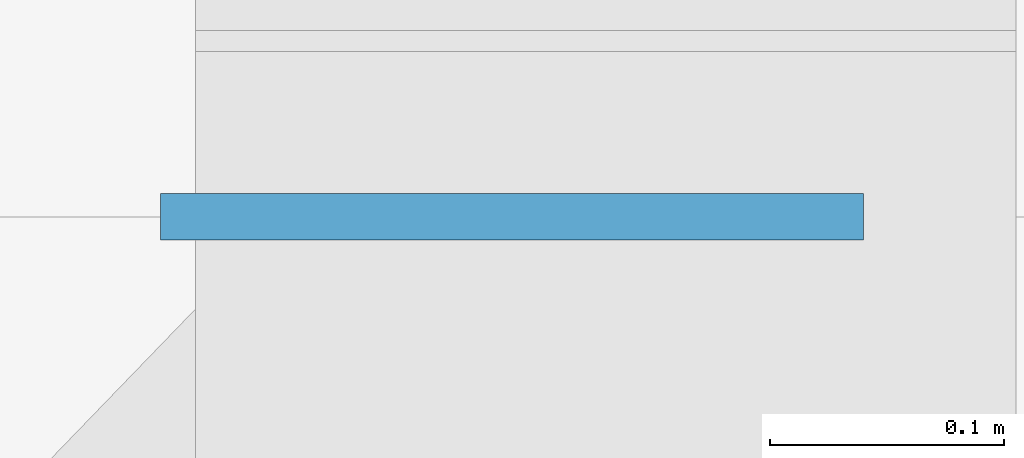
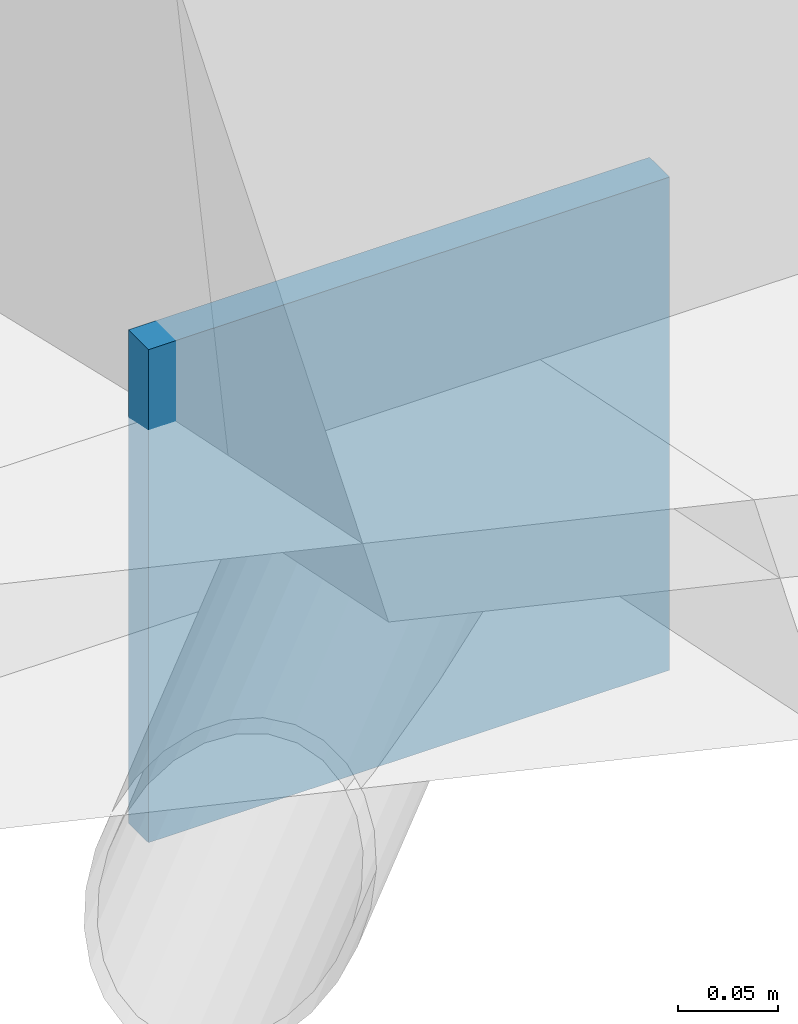
# One storey, part 49 of 56: 1 plate.
"""IFC4 building model written with IfcOpenShell, lengths in metres."""

from ifc_helpers import new_model, si_unit, direction, frame, origin, origin_2d, place, context, subcontext, project, spatial, rectangle, extrude, material, layer, layer_set, type_object, element, save


model = new_model("IFC4")

# Units and contexts
model_context = context("Model", 3, precision=1e-05, world=origin(), true_north=direction((0.0, 1.0)))
body_context = subcontext(model_context, "Body", "Model", "MODEL_VIEW")
ifc_project = project(units=[si_unit("LENGTHUNIT", "METRE"), si_unit("AREAUNIT", "SQUARE_METRE"), si_unit("VOLUMEUNIT", "CUBIC_METRE"), si_unit("PLANEANGLEUNIT", "RADIAN"), si_unit("MASSUNIT", "GRAM", prefix="KILO")], contexts=[model_context])

# Site, building, storey
site_placement = place(None, origin())
site = spatial("IfcSite", under=ifc_project, at=site_placement, CompositionType="ELEMENT")
building_placement = place(site_placement, origin())
building = spatial("IfcBuilding", under=site, at=building_placement, Name="Zacnel Wholesale Market", CompositionType="ELEMENT")
storey_placement = place(building_placement, frame((0.0, 0.0, 20.300048828125)))
storey = spatial("IfcBuildingStorey", under=building, at=storey_placement, Name="RF", CompositionType="ELEMENT", Elevation=20.300048828125)

# Plate
ifc_material = material(Name="Steel S355", Category="steel")
ifc_layer = layer(ifc_material, 0.02001953125)
ifc_layer_set = layer_set([ifc_layer], Name="Steel S355")
plate_type = type_object("IfcPlateType", Name="PLT-GUS-300X20", PredefinedType="SHEET", material=ifc_layer_set)
plate_placement = place(storey_placement, frame((80.9599609375, 118.612548828125, -5.2099609375), z_axis=(0.0, 0.0, 1.0), x_axis=(1.0, 0.0, 0.0)))
element("IfcPlate", 1, at=plate_placement, inside=storey, type_object=plate_type, Name="Shell diaphragm brace end plate 002-B", PredefinedType="SHEET", context=body_context, shape_type="SweptSolid", body=[
    extrude(rectangle(XDim=0.300048828125, YDim=0.02001953125, at=origin_2d()), origin(), (0.0, 0.0, 1.0), 0.300048828125),
])

save(model, "model.ifc")
